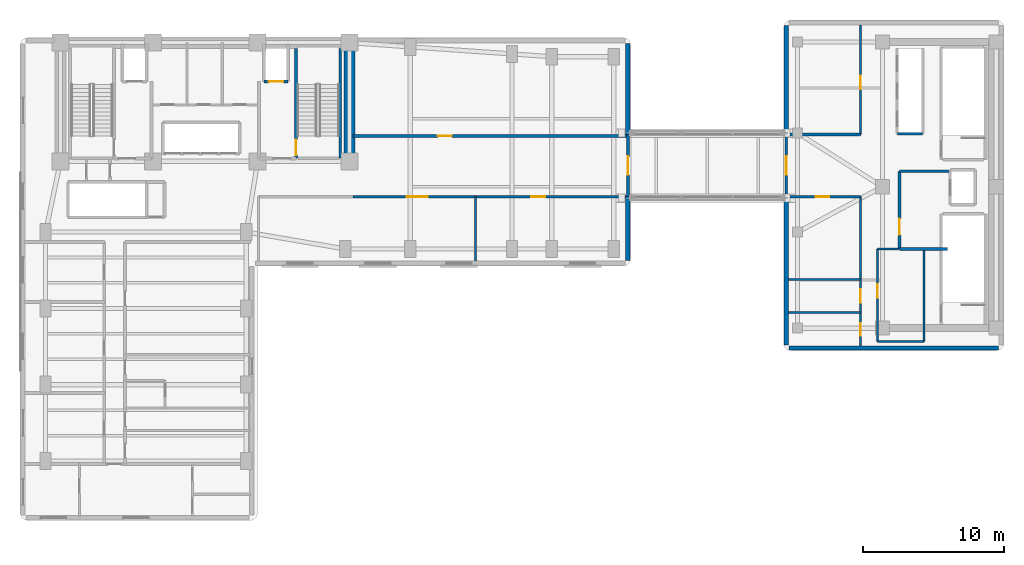
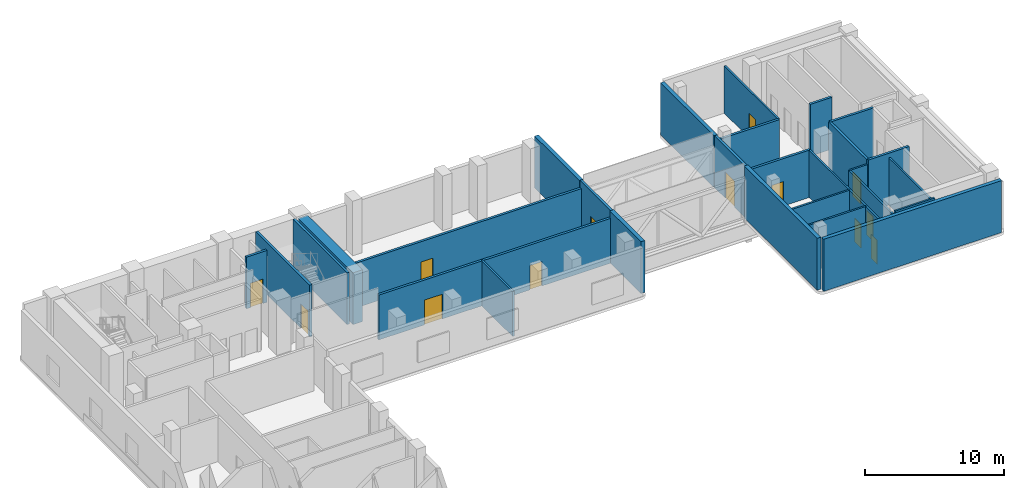
# One storey, part 13 of 17: 28 walls, 13 doors, 13 openings.
"""IFC4 building model written with IfcOpenShell, lengths in metres."""

from ifc_helpers import new_model, si_unit, direction, frame, frame_2d, origin, place, context, subcontext, project, spatial, rectangle, extrude, material, layer, layer_set, type_object, element, fill, save


model = new_model("IFC4")

# Units and contexts
model_context = context("Model", 3, precision=1e-05, world=origin(), true_north=direction((0.0, 1.0)))
body_context = subcontext(model_context, "Body", "Model", "MODEL_VIEW")
ifc_project = project(units=[si_unit("LENGTHUNIT", "METRE"), si_unit("AREAUNIT", "SQUARE_METRE"), si_unit("VOLUMEUNIT", "CUBIC_METRE"), si_unit("PLANEANGLEUNIT", "RADIAN"), si_unit("MASSUNIT", "GRAM", prefix="KILO")], contexts=[model_context])

# Site, building, storey
site_placement = place(None, origin())
site = spatial("IfcSite", under=ifc_project, at=site_placement, CompositionType="ELEMENT")
building_placement = place(site_placement, origin())
building = spatial("IfcBuilding", under=site, at=building_placement, Name="Kuzgunbayir Cultural Tower", CompositionType="ELEMENT")
storey_placement = place(building_placement, frame((0.0, 0.0, 102.60009765625)))
storey = spatial("IfcBuildingStorey", under=building, at=storey_placement, Name="L29", CompositionType="ELEMENT", Elevation=102.60009765625)

# Walls
ifc_material_1 = material(Name="Concrete C60/75", Category="concrete")
ifc_layer_1 = layer(ifc_material_1, 0.800048828125)
ifc_layer_set_1 = layer_set([ifc_layer_1], Name="Concrete C60/75")
wall_type_1 = type_object("IfcWallType", Name="WAL-CORE-800", PredefinedType="SHEAR", material=ifc_layer_set_1)
wall_1_placement = place(storey_placement, frame((26.89990234375, 33.800048828125, 0.0), z_axis=(0.0, 0.0, 1.0), x_axis=(0.0, 1.0, 0.0)))
element("IfcWall", 1, at=wall_1_placement, inside=storey, type_object=wall_type_1, Name="L29 T1 Core East Shear Wall", PredefinedType="SHEAR", context=body_context, shape_type="SweptSolid", body=[
    extrude(rectangle(XDim=7.949951171875, YDim=0.800048828125, at=frame_2d((3.97509765625, 0.0))), origin(), (0.0, 0.0, 1.0), 4.559814453125),
])
ifc_material_2 = material(Name="Anatolian Cream Limestone", Category="masonry")
ifc_layer_2 = layer(ifc_material_2, 0.300048828125)
ifc_layer_set_2 = layer_set([ifc_layer_2], Name="Anatolian Cream Limestone")
wall_type_2 = type_object("IfcWallType", Name="WAL-EXT-STONE-300", PredefinedType="STANDARD", material=ifc_layer_set_2)
wall_2_placement = place(storey_placement, frame((57.800048828125, 31.300048828125, 0.0), z_axis=(0.0, 0.0, 1.0), x_axis=(0.0, -1.0, 0.0)))
element("IfcWall", 2, at=wall_2_placement, inside=storey, type_object=wall_type_2, Name="L29 Companion West Wall South", PredefinedType="STANDARD", context=body_context, shape_type="SweptSolid", body=[
    extrude(rectangle(XDim=10.5, YDim=0.300048828125, at=frame_2d((5.25, 0.0))), origin(), (0.0, 0.0, 1.0), 4.579833984375),
])
wall_3_placement = place(storey_placement, frame((57.800048828125, 43.39990234375, 0.0), z_axis=(0.0, 0.0, 1.0), x_axis=(0.0, -1.0, 0.0)))
element("IfcWall", 3, at=wall_3_placement, inside=storey, type_object=wall_type_2, Name="L29 Companion West Wall North", PredefinedType="STANDARD", context=body_context, shape_type="SweptSolid", body=[
    extrude(rectangle(XDim=7.699951171875, YDim=0.300048828125, at=frame_2d((3.85009765625, 0.0))), origin(), (0.0, 0.0, 1.0), 4.579833984375),
])
wall_4_placement = place(storey_placement, frame((58.0, 20.60009765625, 0.0), z_axis=(0.0, 0.0, 1.0), x_axis=(1.0, 0.0, 0.0)))
element("IfcWall", 4, at=wall_4_placement, inside=storey, type_object=wall_type_2, Name="L29 Companion South Limestone Wall", PredefinedType="STANDARD", context=body_context, shape_type="SweptSolid", body=[
    extrude(rectangle(XDim=14.800048828125, YDim=0.300048828125, at=frame_2d((7.39990234375, 0.0))), origin(), (0.0, 0.0, 1.0), 4.579833984375),
])
ifc_material_3 = material(Name="Travertine Buff Ashlar", Category="masonry")
ifc_layer_3 = layer(ifc_material_3, 0.320068359375)
ifc_layer_set_3 = layer_set([ifc_layer_3], Name="Travertine Buff Ashlar")
wall_type_3 = type_object("IfcWallType", Name="WAL-EXT-STONE-320", PredefinedType="STANDARD", material=ifc_layer_set_3)
wall_5_placement = place(storey_placement, frame((46.60009765625, 26.800048828125, 0.0), z_axis=(0.0, 0.0, 1.0), x_axis=(0.0, 1.0, 0.0)))
element("IfcWall", 5, at=wall_5_placement, inside=storey, type_object=wall_type_3, Name="L29 Wing B East Wall South", PredefinedType="STANDARD", context=body_context, shape_type="SweptSolid", body=[
    extrude(rectangle(XDim=4.5, YDim=0.320068359375, at=frame_2d((2.25, 0.0))), origin(), (0.0, 0.0, 1.0), 4.559814453125),
])
wall_6_placement = place(storey_placement, frame((46.60009765625, 35.699951171875, 0.0), z_axis=(0.0, 0.0, 1.0), x_axis=(0.0, 1.0, 0.0)))
element("IfcWall", 6, at=wall_6_placement, inside=storey, type_object=wall_type_3, Name="L29 Wing B East Wall North", PredefinedType="STANDARD", context=body_context, shape_type="SweptSolid", body=[
    extrude(rectangle(XDim=6.449951171875, YDim=0.320068359375, at=frame_2d((3.22509765625, 0.0))), origin(), (0.0, 0.0, 1.0), 4.559814453125),
])
ifc_material_4 = material(Name="Acoustic Double-Stud Drywall", Category="gypsum")
ifc_layer_4 = layer(ifc_material_4, 0.14990234375)
ifc_layer_set_4 = layer_set([ifc_layer_4], Name="Acoustic Double-Stud Drywall")
wall_type_4 = type_object("IfcWallType", Name="WAL-PART-ACOUSTIC-150", PredefinedType="PARTITIONING", material=ifc_layer_set_4)
wall_7_placement = place(storey_placement, frame((35.800048828125, 26.75, 0.0), z_axis=(0.0, 0.0, 1.0), x_axis=(0.0, 1.0, 0.0)))
element("IfcWall", 7, at=wall_7_placement, inside=storey, type_object=wall_type_4, Name="L29 Skybridge Lounge Divider", PredefinedType="PARTITIONING", context=body_context, shape_type="SweptSolid", body=[
    extrude(rectangle(XDim=4.550048828125, YDim=0.14990234375, at=frame_2d((2.27490234375, 0.0))), origin(), (0.0, 0.0, 1.0), 3.949951171875),
])

# Wall, opening, door
wall_8_placement = place(storey_placement, frame((64.25, 21.050048828125, 0.0), z_axis=(0.0, 0.0, 1.0), x_axis=(0.0, 1.0, 0.0)))
wall_8 = element("IfcWall", 8, at=wall_8_placement, inside=storey, type_object=wall_type_4, Name="L29 Companion Archive West Wall", PredefinedType="PARTITIONING", context=body_context, shape_type="SweptSolid", body=[
    extrude(rectangle(XDim=6.550048828125, YDim=0.14990234375, at=frame_2d((3.27490234375, 0.0))), origin(), (0.0, 0.0, 1.0), 4.169921875),
])
opening_1_placement = place(wall_8_placement, frame((3.10009765625, 0.0, 0.0)))
opening_1 = element("IfcOpeningElement", 9, at=opening_1_placement, cuts=wall_8, Name="Opening DI-90", PredefinedType="OPENING", context=body_context, shape_type="SweptSolid", body=[
    extrude(rectangle(XDim=0.949951171875, YDim=2.14990234375, at=frame_2d((0.47509765625, 1.074951171875))), frame((0.0, 0.0849609375, 0.0), z_axis=(0.0, -1.0, 0.0), x_axis=(1.0, 0.0, 0.0)), (0.0, 0.0, 1.0), 0.169921875),
])
ifc_material_5 = material(Name="Veneered Oak Single Leaf", Category="wood")
door_type_1 = type_object("IfcDoorType", Name="DR-INT-90", OperationType="NOTDEFINED", PredefinedType="DOOR", material=ifc_material_5)
door_1_placement = place(opening_1_placement, origin())
door_1 = element("IfcDoor", 10, at=door_1_placement, inside=storey, type_object=door_type_1, Name="L29 Companion Archive Door", OperationType="SINGLE_SWING_RIGHT", OverallHeight=2.14990234375, OverallWidth=0.949951171875, PredefinedType="DOOR", context=body_context, shape_type="SweptSolid", body=[
    extrude(rectangle(XDim=0.949951171875, YDim=2.14990234375, at=frame_2d((0.47509765625, 1.074951171875))), frame((0.0, 0.02490234375, 0.0), z_axis=(0.0, -1.0, 0.0), x_axis=(1.0, 0.0, 0.0)), (0.0, 0.0, 1.0), 0.050048828125),
])
fill(opening_1, door_1)

# Walls
wall_9_placement = place(storey_placement, frame((67.550048828125, 21.050048828125, 0.0), z_axis=(0.0, 0.0, 1.0), x_axis=(0.0, 1.0, 0.0)))
element("IfcWall", 11, at=wall_9_placement, inside=storey, type_object=wall_type_4, Name="L29 Companion Archive East Wall", PredefinedType="PARTITIONING", context=body_context, shape_type="SweptSolid", body=[
    extrude(rectangle(XDim=6.469970703125, YDim=0.14990234375, at=frame_2d((3.23486328125, 0.0))), origin(), (0.0, 0.0, 1.0), 4.169921875),
])
wall_10_placement = place(storey_placement, frame((64.25, 21.050048828125, 0.0), z_axis=(0.0, 0.0, 1.0), x_axis=(1.0, 0.0, 0.0)))
element("IfcWall", 12, at=wall_10_placement, inside=storey, type_object=wall_type_4, Name="L29 Companion Archive South Wall", PredefinedType="PARTITIONING", context=body_context, shape_type="SweptSolid", body=[
    extrude(rectangle(XDim=3.300048828125, YDim=0.14990234375, at=frame_2d((1.64990234375, 0.0))), origin(), (0.0, 0.0, 1.0), 4.559814453125),
])
wall_11_placement = place(storey_placement, frame((64.25, 27.60009765625, 0.0), z_axis=(0.0, 0.0, 1.0), x_axis=(1.0, 0.0, 0.0)))
element("IfcWall", 13, at=wall_11_placement, inside=storey, type_object=wall_type_4, Name="L29 Companion Archive North Wall", PredefinedType="PARTITIONING", context=body_context, shape_type="SweptSolid", body=[
    extrude(rectangle(XDim=1.469970703125, YDim=0.14990234375, at=frame_2d((0.73486328125, 0.0))), origin(), (0.0, 0.0, 1.0), 4.169921875),
])

# Wall, openings, doors
wall_12_placement = place(storey_placement, frame((63.050048828125, 20.75, 0.0), z_axis=(0.0, 0.0, 1.0), x_axis=(0.0, 1.0, 0.0)))
wall_12 = element("IfcWall", 14, at=wall_12_placement, inside=storey, type_object=wall_type_4, Name="L29 Companion Corridor West Wall South", PredefinedType="PARTITIONING", context=body_context, shape_type="SweptSolid", body=[
    extrude(rectangle(XDim=10.550048828125, YDim=0.14990234375, at=frame_2d((5.27490234375, 0.0))), origin(), (0.0, 0.0, 1.0), 4.169921875),
])
opening_2_placement = place(wall_12_placement, frame((0.72998046875, 0.0, 0.0)))
opening_2 = element("IfcOpeningElement", 15, at=opening_2_placement, cuts=wall_12, Name="Opening DW-85", PredefinedType="OPENING", context=body_context, shape_type="SweptSolid", body=[
    extrude(rectangle(XDim=0.85009765625, YDim=2.10009765625, at=frame_2d((0.425048828125, 1.050048828125))), frame((0.0, 0.0849609375, 0.0), z_axis=(0.0, -1.0, 0.0), x_axis=(1.0, 0.0, 0.0)), (0.0, 0.0, 1.0), 0.169921875),
])
opening_3_placement = place(wall_12_placement, frame((3.050048828125, 0.0, 0.0)))
opening_3 = element("IfcOpeningElement", 16, at=opening_3_placement, cuts=wall_12, Name="Opening DW-95", PredefinedType="OPENING", context=body_context, shape_type="SweptSolid", body=[
    extrude(rectangle(XDim=0.949951171875, YDim=2.10009765625, at=frame_2d((0.47509765625, 1.050048828125))), frame((0.0, 0.0849609375, 0.0), z_axis=(0.0, -1.0, 0.0), x_axis=(1.0, 0.0, 0.0)), (0.0, 0.0, 1.0), 0.169921875),
])
ifc_material_6 = material(Name="Laminate Moisture-Resistant Leaf", Category="wood")
door_type_2 = type_object("IfcDoorType", Name="DR-WET-85", OperationType="NOTDEFINED", PredefinedType="DOOR", material=ifc_material_6)
door_2_placement = place(opening_2_placement, origin())
door_2 = element("IfcDoor", 17, at=door_2_placement, inside=storey, type_object=door_type_2, Name="L29 Companion WC Door", OperationType="SINGLE_SWING_LEFT", OverallHeight=2.10009765625, OverallWidth=0.85009765625, PredefinedType="DOOR", context=body_context, shape_type="SweptSolid", body=[
    extrude(rectangle(XDim=0.85009765625, YDim=2.10009765625, at=frame_2d((0.425048828125, 1.050048828125))), frame((0.0, 0.02490234375, 0.0), z_axis=(0.0, -1.0, 0.0), x_axis=(1.0, 0.0, 0.0)), (0.0, 0.0, 1.0), 0.050048828125),
])
fill(opening_2, door_2)
door_type_3 = type_object("IfcDoorType", Name="DR-WET-95", OperationType="NOTDEFINED", PredefinedType="DOOR", material=ifc_material_6)
door_3_placement = place(opening_3_placement, origin())
door_3 = element("IfcDoor", 18, at=door_3_placement, inside=storey, type_object=door_type_3, Name="L29 Companion Accessible WC Door", OperationType="SINGLE_SWING_RIGHT", OverallHeight=2.10009765625, OverallWidth=0.949951171875, PredefinedType="DOOR", context=body_context, shape_type="SweptSolid", body=[
    extrude(rectangle(XDim=0.949951171875, YDim=2.10009765625, at=frame_2d((0.47509765625, 1.050048828125))), frame((0.0, 0.02490234375, 0.0), z_axis=(0.0, -1.0, 0.0), x_axis=(1.0, 0.0, 0.0)), (0.0, 0.0, 1.0), 0.050048828125),
])
fill(opening_3, door_3)

# Wall, opening, door
wall_13_placement = place(storey_placement, frame((63.050048828125, 35.699951171875, 0.0), z_axis=(0.0, 0.0, 1.0), x_axis=(0.0, 1.0, 0.0)))
wall_13 = element("IfcWall", 19, at=wall_13_placement, inside=storey, type_object=wall_type_4, Name="L29 Companion Corridor West Wall North", PredefinedType="PARTITIONING", context=body_context, shape_type="SweptSolid", body=[
    extrude(rectangle(XDim=7.75, YDim=0.14990234375, at=frame_2d((3.875, 0.0))), origin(), (0.0, 0.0, 1.0), 4.169921875),
])
opening_4_placement = place(wall_13_placement, frame((3.199951171875, 0.0, 0.0)))
opening_4 = element("IfcOpeningElement", 20, at=opening_4_placement, cuts=wall_13, Name="Opening DI-90", PredefinedType="OPENING", context=body_context, shape_type="SweptSolid", body=[
    extrude(rectangle(XDim=0.949951171875, YDim=2.14990234375, at=frame_2d((0.47509765625, 1.074951171875))), frame((0.0, 0.0849609375, 0.0), z_axis=(0.0, -1.0, 0.0), x_axis=(1.0, 0.0, 0.0)), (0.0, 0.0, 1.0), 0.169921875),
])
door_4_placement = place(opening_4_placement, origin())
door_4 = element("IfcDoor", 21, at=door_4_placement, inside=storey, type_object=door_type_1, Name="L29 Companion North Studio Door", OperationType="SINGLE_SWING_RIGHT", OverallHeight=2.14990234375, OverallWidth=0.949951171875, PredefinedType="DOOR", context=body_context, shape_type="SweptSolid", body=[
    extrude(rectangle(XDim=0.949951171875, YDim=2.14990234375, at=frame_2d((0.47509765625, 1.074951171875))), frame((0.0, 0.02490234375, 0.0), z_axis=(0.0, -1.0, 0.0), x_axis=(1.0, 0.0, 0.0)), (0.0, 0.0, 1.0), 0.050048828125),
])
fill(opening_4, door_4)

ifc_material_7 = material(Name="Aerated Concrete Blockwork", Category="masonry")
ifc_layer_5 = layer(ifc_material_7, 0.199951171875)
ifc_layer_set_5 = layer_set([ifc_layer_5], Name="Aerated Concrete Blockwork")
wall_type_5 = type_object("IfcWallType", Name="WAL-PART-FIRE-200", PredefinedType="PARTITIONING", material=ifc_layer_set_5)
wall_14_placement = place(storey_placement, frame((65.800048828125, 27.60009765625, 0.0), z_axis=(0.0, 0.0, 1.0), x_axis=(0.0, 1.0, 0.0)))
wall_14 = element("IfcWall", 22, at=wall_14_placement, inside=storey, type_object=wall_type_5, Name="L29 FFL-3 Lobby West Fire Wall", PredefinedType="PARTITIONING", context=body_context, shape_type="SweptSolid", body=[
    extrude(rectangle(XDim=5.5, YDim=0.199951171875, at=frame_2d((2.75, 0.0))), origin(), (0.0, 0.0, 1.0), 4.559814453125),
])
opening_5_placement = place(wall_14_placement, frame((1.0, 0.0, 0.0)))
opening_5 = element("IfcOpeningElement", 23, at=opening_5_placement, cuts=wall_14, Name="Opening DR-FFL-90", PredefinedType="OPENING", context=body_context, shape_type="SweptSolid", body=[
    extrude(rectangle(XDim=1.14990234375, YDim=2.14990234375, at=frame_2d((0.574951171875, 1.074951171875))), frame((0.0, 0.10986328125, 0.0), z_axis=(0.0, -1.0, 0.0), x_axis=(1.0, 0.0, 0.0)), (0.0, 0.0, 1.0), 0.219970703125),
])
ifc_material_8 = material(Name="Steel S355J2", Category="steel")
door_type_4 = type_object("IfcDoorType", Name="DR-FFL-90", OperationType="NOTDEFINED", PredefinedType="DOOR", material=ifc_material_8)
door_5_placement = place(opening_5_placement, origin())
door_5 = element("IfcDoor", 24, at=door_5_placement, inside=storey, type_object=door_type_4, Name="L29 Firefighting Lobby 3 Door", OperationType="SINGLE_SWING_RIGHT", OverallHeight=2.14990234375, OverallWidth=1.14990234375, PredefinedType="DOOR", context=body_context, shape_type="SweptSolid", body=[
    extrude(rectangle(XDim=1.14990234375, YDim=2.14990234375, at=frame_2d((0.574951171875, 1.074951171875))), frame((0.0, 0.02490234375, 0.0), z_axis=(0.0, -1.0, 0.0), x_axis=(1.0, 0.0, 0.0)), (0.0, 0.0, 1.0), 0.050048828125),
])
fill(opening_5, door_5)

# Walls
wall_15_placement = place(storey_placement, frame((65.800048828125, 33.10009765625, 0.0), z_axis=(0.0, 0.0, 1.0), x_axis=(1.0, 0.0, 0.0)))
element("IfcWall", 25, at=wall_15_placement, inside=storey, type_object=wall_type_5, Name="L29 FFL-3 Lobby North Fire Wall", PredefinedType="PARTITIONING", context=body_context, shape_type="SweptSolid", body=[
    extrude(rectangle(XDim=3.599853515625, YDim=0.199951171875, at=frame_2d((1.7998046875, 0.0))), origin(), (0.0, 0.0, 1.0), 4.559814453125),
])
wall_16_placement = place(storey_placement, frame((65.800048828125, 27.60009765625, 0.0), z_axis=(0.0, 0.0, 1.0), x_axis=(1.0, 0.0, 0.0)))
element("IfcWall", 26, at=wall_16_placement, inside=storey, type_object=wall_type_5, Name="L29 FFL-3 Lobby South Fire Wall", PredefinedType="PARTITIONING", context=body_context, shape_type="SweptSolid", body=[
    extrude(rectangle(XDim=3.39990234375, YDim=0.199951171875, at=frame_2d((1.699951171875, 0.0))), origin(), (0.0, 0.0, 1.0), 4.559814453125),
])

# Wall, opening, door
wall_17_placement = place(storey_placement, frame((46.60009765625, 31.300048828125, 0.0), z_axis=(0.0, 0.0, 1.0), x_axis=(0.0, 1.0, 0.0)))
wall_17 = element("IfcWall", 27, at=wall_17_placement, inside=storey, type_object=wall_type_5, Name="L29 Skybridge West Fire Portal Wall", PredefinedType="PARTITIONING", context=body_context, shape_type="SweptSolid", body=[
    extrude(rectangle(XDim=4.39990234375, YDim=0.199951171875, at=frame_2d((2.199951171875, 0.0))), origin(), (0.0, 0.0, 1.0), 4.559814453125),
])
opening_6_placement = place(wall_17_placement, frame((1.550048828125, 0.0, 0.0)))
opening_6 = element("IfcOpeningElement", 28, at=opening_6_placement, cuts=wall_17, Name="Opening DR-BRIDGE-90", PredefinedType="OPENING", context=body_context, shape_type="SweptSolid", body=[
    extrude(rectangle(XDim=1.300048828125, YDim=2.300048828125, at=frame_2d((0.64990234375, 1.14990234375))), frame((0.0, 0.10986328125, 0.0), z_axis=(0.0, -1.0, 0.0), x_axis=(1.0, 0.0, 0.0)), (0.0, 0.0, 1.0), 0.219970703125),
])
ifc_material_9 = material(Name="Fire-Rated Glazed Steel", Category="steel")
door_type_5 = type_object("IfcDoorType", Name="DR-BRIDGE-90", OperationType="NOTDEFINED", PredefinedType="DOOR", material=ifc_material_9)
door_6_placement = place(opening_6_placement, origin())
door_6 = element("IfcDoor", 29, at=door_6_placement, inside=storey, type_object=door_type_5, Name="L29 Skybridge West Fire Door", OperationType="DOUBLE_SWING_LEFT", OverallHeight=2.300048828125, OverallWidth=1.300048828125, PredefinedType="DOOR", context=body_context, shape_type="SweptSolid", body=[
    extrude(rectangle(XDim=1.300048828125, YDim=2.300048828125, at=frame_2d((0.64990234375, 1.14990234375))), frame((0.0, 0.02490234375, 0.0), z_axis=(0.0, -1.0, 0.0), x_axis=(1.0, 0.0, 0.0)), (0.0, 0.0, 1.0), 0.050048828125),
])
fill(opening_6, door_6)

wall_18_placement = place(storey_placement, frame((57.800048828125, 31.300048828125, 0.0), z_axis=(0.0, 0.0, 1.0), x_axis=(0.0, 1.0, 0.0)))
wall_18 = element("IfcWall", 30, at=wall_18_placement, inside=storey, type_object=wall_type_5, Name="L29 Skybridge East Fire Portal Wall", PredefinedType="PARTITIONING", context=body_context, shape_type="SweptSolid", body=[
    extrude(rectangle(XDim=4.39990234375, YDim=0.199951171875, at=frame_2d((2.199951171875, 0.0))), origin(), (0.0, 0.0, 1.0), 4.559814453125),
])
opening_7_placement = place(wall_18_placement, frame((1.550048828125, 0.0, 0.0)))
opening_7 = element("IfcOpeningElement", 31, at=opening_7_placement, cuts=wall_18, Name="Opening DR-BRIDGE-90", PredefinedType="OPENING", context=body_context, shape_type="SweptSolid", body=[
    extrude(rectangle(XDim=1.300048828125, YDim=2.300048828125, at=frame_2d((0.64990234375, 1.14990234375))), frame((0.0, 0.10986328125, 0.0), z_axis=(0.0, -1.0, 0.0), x_axis=(1.0, 0.0, 0.0)), (0.0, 0.0, 1.0), 0.219970703125),
])
door_7_placement = place(opening_7_placement, origin())
door_7 = element("IfcDoor", 32, at=door_7_placement, inside=storey, type_object=door_type_5, Name="L29 Skybridge East Fire Door", OperationType="DOUBLE_SWING_RIGHT", OverallHeight=2.300048828125, OverallWidth=1.300048828125, PredefinedType="DOOR", context=body_context, shape_type="SweptSolid", body=[
    extrude(rectangle(XDim=1.300048828125, YDim=2.300048828125, at=frame_2d((0.64990234375, 1.14990234375))), frame((0.0, 0.02490234375, 0.0), z_axis=(0.0, -1.0, 0.0), x_axis=(1.0, 0.0, 0.0)), (0.0, 0.0, 1.0), 0.050048828125),
])
fill(opening_7, door_7)

# Wall, openings, doors
wall_19_placement = place(storey_placement, frame((27.14990234375, 31.300048828125, 0.0), z_axis=(0.0, 0.0, 1.0), x_axis=(1.0, 0.0, 0.0)))
wall_19 = element("IfcWall", 33, at=wall_19_placement, inside=storey, type_object=wall_type_5, Name="L29 Wing B Hotel Corridor South Wall", PredefinedType="PARTITIONING", context=body_context, shape_type="SweptSolid", body=[
    extrude(rectangle(XDim=19.35009765625, YDim=0.199951171875, at=frame_2d((9.675048828125, 0.0))), origin(), (0.0, 0.0, 1.0), 3.949951171875),
])
opening_8_placement = place(wall_19_placement, frame((3.800048828125, 0.0, 0.0)))
opening_8 = element("IfcOpeningElement", 34, at=opening_8_placement, cuts=wall_19, Name="Opening DI-150", PredefinedType="OPENING", context=body_context, shape_type="SweptSolid", body=[
    extrude(rectangle(XDim=1.5, YDim=2.179931640625, at=frame_2d((0.75, 1.08984375))), frame((0.0, 0.10986328125, 0.0), z_axis=(0.0, -1.0, 0.0), x_axis=(1.0, 0.0, 0.0)), (0.0, 0.0, 1.0), 0.219970703125),
])
opening_9_placement = place(wall_19_placement, frame((12.60009765625, 0.0, 0.0)))
opening_9 = element("IfcOpeningElement", 35, at=opening_9_placement, cuts=wall_19, Name="Opening DI-100", PredefinedType="OPENING", context=body_context, shape_type="SweptSolid", body=[
    extrude(rectangle(XDim=1.0, YDim=2.14990234375, at=frame_2d((0.5, 1.074951171875))), frame((0.0, 0.10986328125, 0.0), z_axis=(0.0, -1.0, 0.0), x_axis=(1.0, 0.0, 0.0)), (0.0, 0.0, 1.0), 0.219970703125),
])
door_type_6 = type_object("IfcDoorType", Name="DR-INT-100", OperationType="NOTDEFINED", PredefinedType="DOOR", material=ifc_material_5)
door_8_placement = place(opening_9_placement, origin())
door_8 = element("IfcDoor", 36, at=door_8_placement, inside=storey, type_object=door_type_6, Name="L29 Tasting Kitchen Door", OperationType="SINGLE_SWING_RIGHT", OverallHeight=2.14990234375, OverallWidth=1.0, PredefinedType="DOOR", context=body_context, shape_type="SweptSolid", body=[
    extrude(rectangle(XDim=1.0, YDim=2.14990234375, at=frame_2d((0.5, 1.074951171875))), frame((0.0, 0.02490234375, 0.0), z_axis=(0.0, -1.0, 0.0), x_axis=(1.0, 0.0, 0.0)), (0.0, 0.0, 1.0), 0.050048828125),
])
fill(opening_9, door_8)
ifc_material_10 = material(Name="Veneered Oak Double Leaf", Category="wood")
door_type_7 = type_object("IfcDoorType", Name="DR-INT-150", OperationType="DOUBLE_DOOR_SINGLE_SWING", PredefinedType="DOOR", material=ifc_material_10)
door_9_placement = place(opening_8_placement, origin())
door_9 = element("IfcDoor", 37, at=door_9_placement, inside=storey, type_object=door_type_7, Name="L29 Champagne Salon Door", OperationType="DOUBLE_DOOR_SINGLE_SWING", OverallHeight=2.179931640625, OverallWidth=1.5, PredefinedType="DOOR", context=body_context, shape_type="SweptSolid", body=[
    extrude(rectangle(XDim=1.5, YDim=2.179931640625, at=frame_2d((0.75, 1.08984375))), frame((0.0, 0.02490234375, 0.0), z_axis=(0.0, -1.0, 0.0), x_axis=(1.0, 0.0, 0.0)), (0.0, 0.0, 1.0), 0.050048828125),
])
fill(opening_8, door_9)

# Wall, opening, door
wall_20_placement = place(storey_placement, frame((27.14990234375, 35.60009765625, 0.0), z_axis=(0.0, 0.0, 1.0), x_axis=(1.0, 0.0, 0.0)))
wall_20 = element("IfcWall", 38, at=wall_20_placement, inside=storey, type_object=wall_type_5, Name="L29 Wing B Hotel Corridor North Wall", PredefinedType="PARTITIONING", context=body_context, shape_type="SweptSolid", body=[
    extrude(rectangle(XDim=19.35009765625, YDim=0.199951171875, at=frame_2d((9.675048828125, 0.0))), origin(), (0.0, 0.0, 1.0), 3.949951171875),
])
opening_10_placement = place(wall_20_placement, frame((6.0, 0.0, 0.0)))
opening_10 = element("IfcOpeningElement", 39, at=opening_10_placement, cuts=wall_20, Name="Opening DI-100", PredefinedType="OPENING", context=body_context, shape_type="SweptSolid", body=[
    extrude(rectangle(XDim=1.0, YDim=2.14990234375, at=frame_2d((0.5, 1.074951171875))), frame((0.0, 0.10986328125, 0.0), z_axis=(0.0, -1.0, 0.0), x_axis=(1.0, 0.0, 0.0)), (0.0, 0.0, 1.0), 0.219970703125),
])
door_10_placement = place(opening_10_placement, origin())
door_10 = element("IfcDoor", 40, at=door_10_placement, inside=storey, type_object=door_type_6, Name="L29 VIP Boardroom Door", OperationType="SINGLE_SWING_LEFT", OverallHeight=2.14990234375, OverallWidth=1.0, PredefinedType="DOOR", context=body_context, shape_type="SweptSolid", body=[
    extrude(rectangle(XDim=1.0, YDim=2.14990234375, at=frame_2d((0.5, 1.074951171875))), frame((0.0, 0.02490234375, 0.0), z_axis=(0.0, -1.0, 0.0), x_axis=(1.0, 0.0, 0.0)), (0.0, 0.0, 1.0), 0.050048828125),
])
fill(opening_10, door_10)

wall_21_placement = place(storey_placement, frame((57.800048828125, 31.300048828125, 0.0), z_axis=(0.0, 0.0, 1.0), x_axis=(1.0, 0.0, 0.0)))
wall_21 = element("IfcWall", 41, at=wall_21_placement, inside=storey, type_object=wall_type_5, Name="L29 Companion Skybridge Vestibule South Wall", PredefinedType="PARTITIONING", context=body_context, shape_type="SweptSolid", body=[
    extrude(rectangle(XDim=5.25, YDim=0.199951171875, at=frame_2d((2.625, 0.0))), origin(), (0.0, 0.0, 1.0), 4.169921875),
])
opening_11_placement = place(wall_21_placement, frame((2.10009765625, 0.0, 0.0)))
opening_11 = element("IfcOpeningElement", 42, at=opening_11_placement, cuts=wall_21, Name="Opening DI-90", PredefinedType="OPENING", context=body_context, shape_type="SweptSolid", body=[
    extrude(rectangle(XDim=0.949951171875, YDim=2.14990234375, at=frame_2d((0.47509765625, 1.074951171875))), frame((0.0, 0.10986328125, 0.0), z_axis=(0.0, -1.0, 0.0), x_axis=(1.0, 0.0, 0.0)), (0.0, 0.0, 1.0), 0.219970703125),
])
door_11_placement = place(opening_11_placement, origin())
door_11 = element("IfcDoor", 43, at=door_11_placement, inside=storey, type_object=door_type_1, Name="L29 Companion South Salon Door", OperationType="SINGLE_SWING_LEFT", OverallHeight=2.14990234375, OverallWidth=0.949951171875, PredefinedType="DOOR", context=body_context, shape_type="SweptSolid", body=[
    extrude(rectangle(XDim=0.949951171875, YDim=2.14990234375, at=frame_2d((0.47509765625, 1.074951171875))), frame((0.0, 0.02490234375, 0.0), z_axis=(0.0, -1.0, 0.0), x_axis=(1.0, 0.0, 0.0)), (0.0, 0.0, 1.0), 0.050048828125),
])
fill(opening_11, door_11)

# Walls
wall_22_placement = place(storey_placement, frame((57.800048828125, 35.699951171875, 0.0), z_axis=(0.0, 0.0, 1.0), x_axis=(1.0, 0.0, 0.0)))
element("IfcWall", 44, at=wall_22_placement, inside=storey, type_object=wall_type_5, Name="L29 Companion Skybridge Vestibule North Wall", PredefinedType="PARTITIONING", context=body_context, shape_type="SweptSolid", body=[
    extrude(rectangle(XDim=5.25, YDim=0.199951171875, at=frame_2d((2.625, 0.0))), origin(), (0.0, 0.0, 1.0), 4.169921875),
])
ifc_material_11 = material(Name="Moisture-Resistant Tile Partition", Category="gypsum")
ifc_layer_6 = layer(ifc_material_11, 0.14990234375)
ifc_layer_set_6 = layer_set([ifc_layer_6], Name="Moisture-Resistant Tile Partition")
wall_type_6 = type_object("IfcWallType", Name="WAL-PART-WET-150", PredefinedType="PARTITIONING", material=ifc_layer_set_6)
for number, where, z_axis, x_axis, name in (
    (45, (57.949951171875, 23.10009765625, 0.0), (0.0, 0.0, 1.0), (1.0, 0.0, 0.0), "L29 Companion WC North Wall"),
    (46, (57.949951171875, 25.449951171875, 0.0), (0.0, 0.0, 1.0), (1.0, 0.0, 0.0), "L29 Companion Accessible WC Wall"),
):
    element("IfcWall", number, at=place(storey_placement, frame(where, z_axis=z_axis, x_axis=x_axis)), inside=storey, type_object=wall_type_6, Name=name, PredefinedType="PARTITIONING", context=body_context, shape_type="SweptSolid", body=[
        extrude(rectangle(XDim=5.10009765625, YDim=0.14990234375, at=frame_2d((2.550048828125, 0.0))), origin(), (0.0, 0.0, 1.0), 4.169921875),
    ])

# Wall, opening, door
ifc_material_12 = material(Name="Concrete C40/50", Category="concrete")
ifc_layer_7 = layer(ifc_material_12, 0.199951171875)
ifc_layer_set_7 = layer_set([ifc_layer_7], Name="Concrete C40/50")
wall_type_7 = type_object("IfcWallType", Name="WAL-SHAFT-200", PredefinedType="MOVABLE", material=ifc_layer_set_7)
wall_23_placement = place(storey_placement, frame((20.85009765625, 39.449951171875, 0.0), z_axis=(0.0, 0.0, 1.0), x_axis=(1.0, 0.0, 0.0)))
wall_23 = element("IfcWall", 47, at=wall_23_placement, inside=storey, type_object=wall_type_7, Name="L29 FFL-2 Lift Front Wall", PredefinedType="MOVABLE", context=body_context, shape_type="SweptSolid", body=[
    extrude(rectangle(XDim=1.699951171875, YDim=0.199951171875, at=frame_2d((0.85009765625, 0.0))), origin(), (0.0, 0.0, 1.0), 4.559814453125),
])
opening_12_placement = place(wall_23_placement, frame((0.320068359375, 0.0, 0.0)))
opening_12 = element("IfcOpeningElement", 48, at=opening_12_placement, cuts=wall_23, Name="Opening LD", PredefinedType="OPENING", context=body_context, shape_type="SweptSolid", body=[
    extrude(rectangle(XDim=1.050048828125, YDim=2.14990234375, at=frame_2d((0.52490234375, 1.074951171875))), frame((0.0, 0.10986328125, 0.0), z_axis=(0.0, -1.0, 0.0), x_axis=(1.0, 0.0, 0.0)), (0.0, 0.0, 1.0), 0.219970703125),
])
ifc_material_13 = material(Name="Brushed Stainless Steel", Category="steel")
door_type_8 = type_object("IfcDoorType", Name="DR-LIFT-LANDING", OperationType="SLIDING_TO_LEFT", PredefinedType="DOOR", material=ifc_material_13)
door_12_placement = place(opening_12_placement, origin())
door_12 = element("IfcDoor", 49, at=door_12_placement, inside=storey, type_object=door_type_8, Name="L29 Lift FFL-2 Landing Door", OperationType="SLIDING_TO_LEFT", OverallHeight=2.14990234375, OverallWidth=1.050048828125, PredefinedType="DOOR", context=body_context, shape_type="SweptSolid", body=[
    extrude(rectangle(XDim=1.050048828125, YDim=2.14990234375, at=frame_2d((0.52490234375, 1.074951171875))), frame((0.0, 0.02490234375, 0.0), z_axis=(0.0, -1.0, 0.0), x_axis=(1.0, 0.0, 0.0)), (0.0, 0.0, 1.0), 0.050048828125),
])
fill(opening_12, door_12)

# Wall
wall_24_placement = place(storey_placement, frame((65.64990234375, 35.75, 0.0), z_axis=(0.0, 0.0, 1.0), x_axis=(1.0, 0.0, 0.0)))
element("IfcWall", 50, at=wall_24_placement, inside=storey, type_object=wall_type_7, Name="L29 Companion Lift Shaft South Wall", PredefinedType="MOVABLE", context=body_context, shape_type="SweptSolid", body=[
    extrude(rectangle(XDim=1.800048828125, YDim=0.199951171875, at=frame_2d((0.89990234375, 0.0))), origin(), (0.0, 0.0, 1.0), 4.559814453125),
])

# Wall, opening, door
ifc_layer_8 = layer(ifc_material_12, 0.199951171875)
ifc_layer_set_8 = layer_set([ifc_layer_8], Name="Concrete C40/50")
wall_type_8 = type_object("IfcWallType", Name="WAL-STAIR-RC-200", PredefinedType="SHEAR", material=ifc_layer_set_8)
wall_25_placement = place(storey_placement, frame((23.1201171875, 34.02001953125, 0.0), z_axis=(0.0, 0.0, 1.0), x_axis=(0.0, 1.0, 0.0)))
wall_25 = element("IfcWall", 51, at=wall_25_placement, inside=storey, type_object=wall_type_8, Name="L29 Stair ST-2 West Structural Wall", PredefinedType="SHEAR", context=body_context, shape_type="SweptSolid", body=[
    extrude(rectangle(XDim=7.780029296875, YDim=0.199951171875, at=frame_2d((3.89013671875, 0.0))), origin(), (0.0, 0.0, 1.0), 4.559814453125),
])
opening_13_placement = place(wall_25_placement, frame((0.219970703125, 0.0, 0.0)))
opening_13 = element("IfcOpeningElement", 52, at=opening_13_placement, cuts=wall_25, Name="Opening DR-STAIR-90", PredefinedType="OPENING", context=body_context, shape_type="SweptSolid", body=[
    extrude(rectangle(XDim=1.10009765625, YDim=2.14990234375, at=frame_2d((0.550048828125, 1.074951171875))), frame((0.0, 0.10986328125, 0.0), z_axis=(0.0, -1.0, 0.0), x_axis=(1.0, 0.0, 0.0)), (0.0, 0.0, 1.0), 0.219970703125),
])
door_type_9 = type_object("IfcDoorType", Name="DR-STAIR-90", OperationType="NOTDEFINED", PredefinedType="DOOR", material=ifc_material_8)
door_13_placement = place(opening_13_placement, origin())
door_13 = element("IfcDoor", 53, at=door_13_placement, inside=storey, type_object=door_type_9, Name="L29 Stair ST-2 Fire Door", OperationType="SINGLE_SWING_LEFT", OverallHeight=2.14990234375, OverallWidth=1.10009765625, PredefinedType="DOOR", context=body_context, shape_type="SweptSolid", body=[
    extrude(rectangle(XDim=1.10009765625, YDim=2.14990234375, at=frame_2d((0.550048828125, 1.074951171875))), frame((0.0, 0.02490234375, 0.0), z_axis=(0.0, -1.0, 0.0), x_axis=(1.0, 0.0, 0.0)), (0.0, 0.0, 1.0), 0.050048828125),
])
fill(opening_13, door_13)

# Wall
wall_26_placement = place(storey_placement, frame((26.239990234375, 34.02001953125, 0.0), z_axis=(0.0, 0.0, 1.0), x_axis=(0.0, 1.0, 0.0)))
element("IfcWall", 54, at=wall_26_placement, inside=storey, type_object=wall_type_8, Name="L29 Stair ST-2 East Structural Wall", PredefinedType="SHEAR", context=body_context, shape_type="SweptSolid", body=[
    extrude(rectangle(XDim=7.780029296875, YDim=0.199951171875, at=frame_2d((3.89013671875, 0.0))), origin(), (0.0, 0.0, 1.0), 4.559814453125),
])

save(model, "model.ifc")
